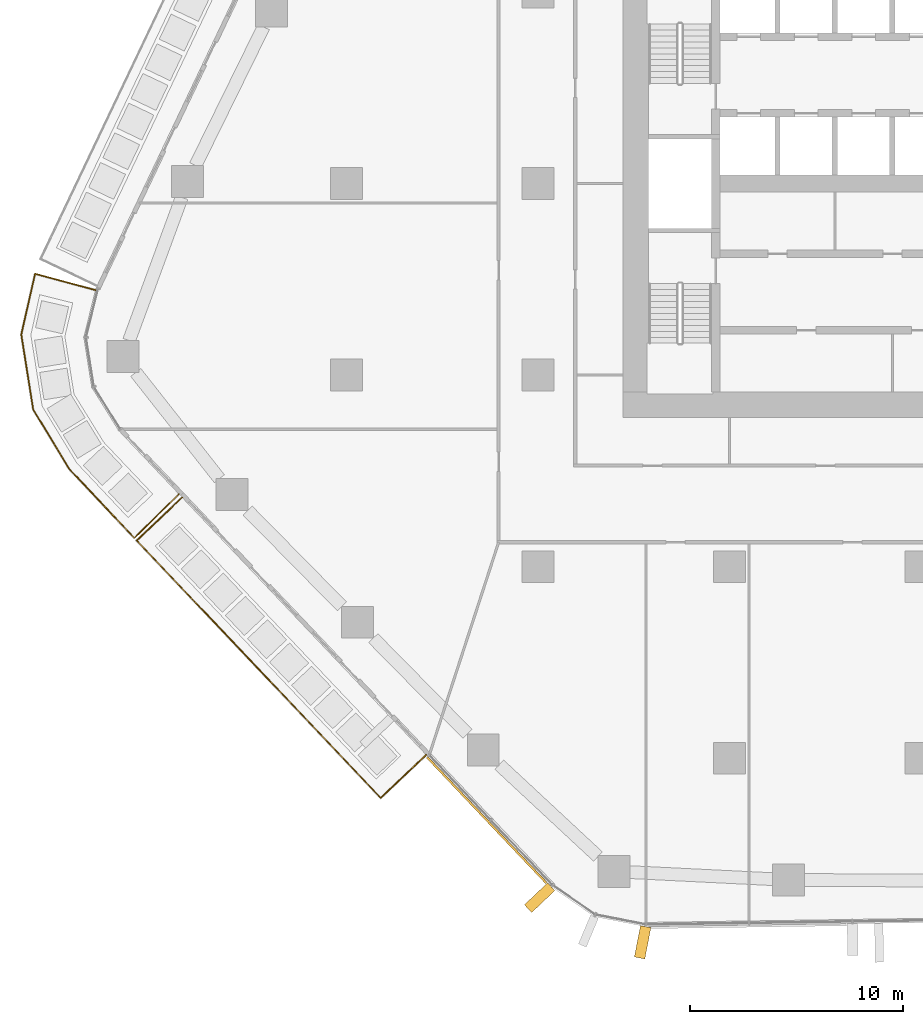
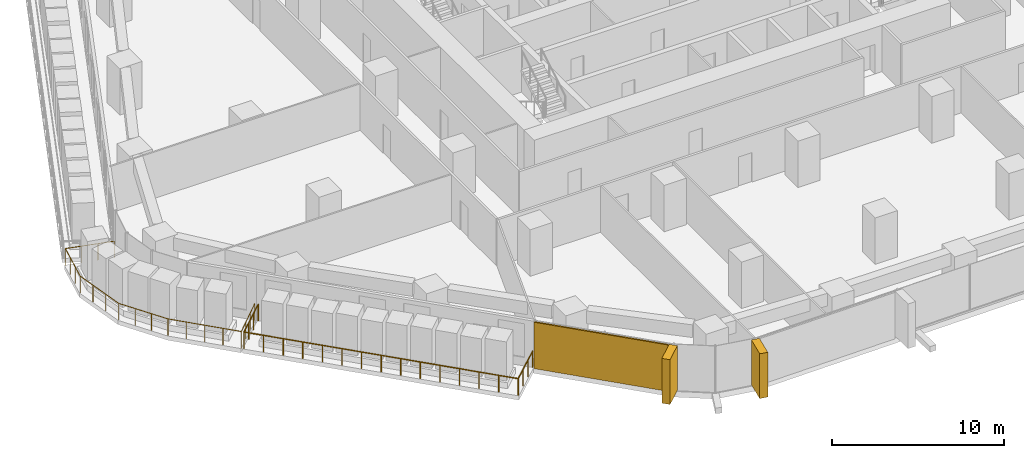
# One storey, part 18 of 24: 3 coverings, 2 railings, 2 elements without a shape of their own.
"""IFC4 building model written with IfcOpenShell, lengths in metres."""

from ifc_helpers import new_model, si_unit, direction, frame, origin, origin_2d, place, context, subcontext, project, spatial, rectangle, circle, extrude, material, layer, layer_set, material_profile, profile_set, type_object, element, aggregate, save


model = new_model("IFC4")

# Units and contexts
model_context = context("Model", 3, precision=1e-05, world=origin(), true_north=direction((0.0, 1.0)))
body_context = subcontext(model_context, "Body", "Model", "MODEL_VIEW")
ifc_project = project(units=[si_unit("LENGTHUNIT", "METRE"), si_unit("AREAUNIT", "SQUARE_METRE"), si_unit("VOLUMEUNIT", "CUBIC_METRE"), si_unit("PLANEANGLEUNIT", "RADIAN"), si_unit("MASSUNIT", "GRAM", prefix="KILO")], contexts=[model_context])

# Site, building, storey
site_placement = place(None, origin())
site = spatial("IfcSite", under=ifc_project, at=site_placement, CompositionType="ELEMENT")
building_placement = place(site_placement, origin())
building = spatial("IfcBuilding", under=site, at=building_placement, Name="Dongbaek Canopy Tower", CompositionType="ELEMENT")
storey_placement = place(building_placement, frame((0.0, 0.0, 47.699951171875)))
storey = spatial("IfcBuildingStorey", under=building, at=storey_placement, Name="L07", CompositionType="ELEMENT", Elevation=47.699951171875)

# Railings
ifc_material_1 = material(Name="Stainless steel", Category="steel")
railing_type = type_object("IfcRailingType", Name="Balcony balustrade 1200", PredefinedType="BALUSTRADE", material=ifc_material_1)
railing_1_placement = place(storey_placement, frame((-34.720703125, -14.746826171875, 0.0)))
element("IfcRailing", 1, at=railing_1_placement, inside=storey, type_object=railing_type, Name="Balcony guard L07 3", PredefinedType="BALUSTRADE", context=body_context, shape_type="SweptSolid", body=[
    extrude(circle(Radius=0.02392578125, at=origin_2d()), frame((0.0, 0.0, 1.17578125), z_axis=(-0.725625280922, -0.688090075271, 0.0), x_axis=(0.688090075271, -0.725625280922, 0.0)), (0.0, 0.0, 1.0), 2.93994140625),
    extrude(circle(Radius=0.02392578125, at=origin_2d()), frame((-2.13330078125, -2.02294921875, 1.17578125), z_axis=(0.688087592456, -0.725627635298, 0.0), x_axis=(0.725627635298, 0.688087592456, 0.0)), (0.0, 0.0, 1.0), 16.661865234375),
    extrude(circle(Radius=0.02392578125, at=origin_2d()), frame((9.33154296875, -14.11328125, 1.17578125), z_axis=(0.725664595326, 0.6880486139, 0.0), x_axis=(-0.6880486139, 0.725664595326, 0.0)), (0.0, 0.0, 1.0), 2.940185546875),
    extrude(circle(Radius=0.02099609375, at=origin_2d()), origin(), (0.0, 0.0, 1.0), 1.15185546875),
    extrude(circle(Radius=0.02099609375, at=origin_2d()), frame((-0.711181640625, -0.67431640625, 0.0)), (0.0, 0.0, 1.0), 1.15185546875),
    extrude(circle(Radius=0.02099609375, at=origin_2d()), frame((-1.422119140625, -1.3486328125, 0.0)), (0.0, 0.0, 1.0), 1.15185546875),
    extrude(circle(Radius=0.02099609375, at=origin_2d()), frame((-2.13330078125, -2.02294921875, 0.0)), (0.0, 0.0, 1.0), 1.15185546875),
    extrude(circle(Radius=0.02099609375, at=origin_2d()), frame((-1.314453125, -2.886474609375, 0.0)), (0.0, 0.0, 1.0), 1.15185546875),
    extrude(circle(Radius=0.02099609375, at=origin_2d()), frame((-0.495361328125, -3.750244140625, 0.0)), (0.0, 0.0, 1.0), 1.15185546875),
    extrude(circle(Radius=0.02099609375, at=origin_2d()), frame((0.323486328125, -4.61376953125, 0.0)), (0.0, 0.0, 1.0), 1.15185546875),
    extrude(circle(Radius=0.02099609375, at=origin_2d()), frame((1.142333984375, -5.477294921875, 0.0)), (0.0, 0.0, 1.0), 1.15185546875),
    extrude(circle(Radius=0.02099609375, at=origin_2d()), frame((1.961181640625, -6.3408203125, 0.0)), (0.0, 0.0, 1.0), 1.15185546875),
    extrude(circle(Radius=0.02099609375, at=origin_2d()), frame((2.7802734375, -7.20458984375, 0.0)), (0.0, 0.0, 1.0), 1.15185546875),
    extrude(circle(Radius=0.02099609375, at=origin_2d()), frame((3.59912109375, -8.068115234375, 0.0)), (0.0, 0.0, 1.0), 1.15185546875),
    extrude(circle(Radius=0.02099609375, at=origin_2d()), frame((4.41796875, -8.931640625, 0.0)), (0.0, 0.0, 1.0), 1.15185546875),
    extrude(circle(Radius=0.02099609375, at=origin_2d()), frame((5.237060546875, -9.79541015625, 0.0)), (0.0, 0.0, 1.0), 1.15185546875),
    extrude(circle(Radius=0.02099609375, at=origin_2d()), frame((6.055908203125, -10.658935546875, 0.0)), (0.0, 0.0, 1.0), 1.15185546875),
    extrude(circle(Radius=0.02099609375, at=origin_2d()), frame((6.874755859375, -11.5224609375, 0.0)), (0.0, 0.0, 1.0), 1.15185546875),
    extrude(circle(Radius=0.02099609375, at=origin_2d()), frame((7.693603515625, -12.385986328125, 0.0)), (0.0, 0.0, 1.0), 1.15185546875),
    extrude(circle(Radius=0.02099609375, at=origin_2d()), frame((8.5126953125, -13.249755859375, 0.0)), (0.0, 0.0, 1.0), 1.15185546875),
    extrude(circle(Radius=0.02099609375, at=origin_2d()), frame((9.33154296875, -14.11328125, 0.0)), (0.0, 0.0, 1.0), 1.15185546875),
    extrude(circle(Radius=0.02099609375, at=origin_2d()), frame((10.042724609375, -13.43896484375, 0.0)), (0.0, 0.0, 1.0), 1.15185546875),
    extrude(circle(Radius=0.02099609375, at=origin_2d()), frame((10.75390625, -12.7646484375, 0.0)), (0.0, 0.0, 1.0), 1.15185546875),
    extrude(circle(Radius=0.02099609375, at=origin_2d()), frame((11.465087890625, -12.09033203125, 0.0)), (0.0, 0.0, 1.0), 1.15185546875),
])
railing_2_placement = place(storey_placement, frame((-38.790771484375, -5.00390625, 0.0)))
element("IfcRailing", 2, at=railing_2_placement, inside=storey, type_object=railing_type, Name="Balcony guard L07 6", PredefinedType="BALUSTRADE", context=body_context, shape_type="SweptSolid", body=[
    extrude(circle(Radius=0.02392578125, at=origin_2d()), frame((0.0, 0.0, 1.17578125), z_axis=(-0.965309681674, 0.261107676001, 0.0), x_axis=(-0.261107676001, -0.965309681674, 0.0)), (0.0, 0.0, 1.0), 2.940673828125),
    extrude(circle(Radius=0.02392578125, at=origin_2d()), frame((-2.838623046875, 0.767822265625, 1.17578125), z_axis=(-0.221750914522, -0.97510334422, 0.0), x_axis=(0.97510334422, -0.221750914522, 0.0)), (0.0, 0.0, 1.0), 2.92626953125),
    extrude(circle(Radius=0.02392578125, at=origin_2d()), frame((-3.487548828125, -2.085693359375, 1.17578125), z_axis=(0.156645480474, -0.987654895926, 0.0), x_axis=(0.987654895926, 0.156645480474, 0.0)), (0.0, 0.0, 1.0), 3.561279296875),
    extrude(circle(Radius=0.02392578125, at=origin_2d()), frame((-2.9296875, -5.60302734375, 1.17578125), z_axis=(0.518278551245, -0.855211870427, 0.0), x_axis=(0.855211870427, 0.518278551245, 0.0)), (0.0, 0.0, 1.0), 3.27001953125),
    extrude(circle(Radius=0.02392578125, at=origin_2d()), frame((-1.23486328125, -8.399658203125, 1.17578125), z_axis=(0.685685287225, -0.727898129468, 0.0), x_axis=(0.727898129468, 0.685685287225, 0.0)), (0.0, 0.0, 1.0), 4.46484375),
    extrude(circle(Radius=0.02392578125, at=origin_2d()), frame((1.82666015625, -11.649658203125, 1.17578125), z_axis=(0.711452226048, 0.702734466247, 0.0), x_axis=(-0.702734466247, 0.711452226048, 0.0)), (0.0, 0.0, 1.0), 2.9404296875),
    extrude(circle(Radius=0.02099609375, at=origin_2d()), origin(), (0.0, 0.0, 1.0), 1.15185546875),
    extrude(circle(Radius=0.02099609375, at=origin_2d()), frame((-0.9462890625, 0.255859375, 0.0)), (0.0, 0.0, 1.0), 1.15185546875),
    extrude(circle(Radius=0.02099609375, at=origin_2d()), frame((-1.892333984375, 0.511962890625, 0.0)), (0.0, 0.0, 1.0), 1.15185546875),
    extrude(circle(Radius=0.02099609375, at=origin_2d()), frame((-2.838623046875, 0.767822265625, 0.0)), (0.0, 0.0, 1.0), 1.15185546875),
    extrude(circle(Radius=0.02099609375, at=origin_2d()), frame((-3.054931640625, -0.183349609375, 0.0)), (0.0, 0.0, 1.0), 1.15185546875),
    extrude(circle(Radius=0.02099609375, at=origin_2d()), frame((-3.271240234375, -1.134521484375, 0.0)), (0.0, 0.0, 1.0), 1.15185546875),
    extrude(circle(Radius=0.02099609375, at=origin_2d()), frame((-3.487548828125, -2.085693359375, 0.0)), (0.0, 0.0, 1.0), 1.15185546875),
    extrude(circle(Radius=0.02099609375, at=origin_2d()), frame((-3.301513671875, -3.258056640625, 0.0)), (0.0, 0.0, 1.0), 1.15185546875),
    extrude(circle(Radius=0.02099609375, at=origin_2d()), frame((-3.11572265625, -4.4306640625, 0.0)), (0.0, 0.0, 1.0), 1.15185546875),
    extrude(circle(Radius=0.02099609375, at=origin_2d()), frame((-2.9296875, -5.60302734375, 0.0)), (0.0, 0.0, 1.0), 1.15185546875),
    extrude(circle(Radius=0.02099609375, at=origin_2d()), frame((-2.36474609375, -6.53515625, 0.0)), (0.0, 0.0, 1.0), 1.15185546875),
    extrude(circle(Radius=0.02099609375, at=origin_2d()), frame((-1.7998046875, -7.467529296875, 0.0)), (0.0, 0.0, 1.0), 1.15185546875),
    extrude(circle(Radius=0.02099609375, at=origin_2d()), frame((-1.23486328125, -8.399658203125, 0.0)), (0.0, 0.0, 1.0), 1.15185546875),
    extrude(circle(Radius=0.02099609375, at=origin_2d()), frame((-0.469482421875, -9.212158203125, 0.0)), (0.0, 0.0, 1.0), 1.15185546875),
    extrude(circle(Radius=0.02099609375, at=origin_2d()), frame((0.2958984375, -10.024658203125, 0.0)), (0.0, 0.0, 1.0), 1.15185546875),
    extrude(circle(Radius=0.02099609375, at=origin_2d()), frame((1.061279296875, -10.837158203125, 0.0)), (0.0, 0.0, 1.0), 1.15185546875),
    extrude(circle(Radius=0.02099609375, at=origin_2d()), frame((1.82666015625, -11.649658203125, 0.0)), (0.0, 0.0, 1.0), 1.15185546875),
    extrude(circle(Radius=0.02099609375, at=origin_2d()), frame((2.52392578125, -10.9609375, 0.0)), (0.0, 0.0, 1.0), 1.15185546875),
    extrude(circle(Radius=0.02099609375, at=origin_2d()), frame((3.221435546875, -10.27197265625, 0.0)), (0.0, 0.0, 1.0), 1.15185546875),
    extrude(circle(Radius=0.02099609375, at=origin_2d()), frame((3.918701171875, -9.583251953125, 0.0)), (0.0, 0.0, 1.0), 1.15185546875),
])

# Curtain wall, coverings
ifc_material_2 = material(Name="Aluminium 6063-T6 pale anodised", Category="aluminium")
ifc_layer_1 = layer(ifc_material_2, 0.199951171875)
ifc_layer_set_1 = layer_set([ifc_layer_1], Name="CW-1 unitised tower curtain wall")
curtain_wall_type = type_object("IfcCurtainWallType", Name="CW-1 unitised tower curtain wall", PredefinedType="NOTDEFINED", material=ifc_layer_set_1)
curtain_wall_1_placement = place(storey_placement, origin())
curtain_wall_1 = element("IfcCurtainWall", 3, at=curtain_wall_1_placement, inside=storey, type_object=curtain_wall_type, Name="CW-1 curtain wall F3.1", PredefinedType="NOTDEFINED")
ifc_material_3 = material(Name="Perforated aluminium 6063-T6 pale metal screen", Category="aluminium")
ifc_layer_2 = layer(ifc_material_3, 0.10009765625)
ifc_layer_set_2 = layer_set([ifc_layer_2], Name="Facet screen FS1 100 pale metal")
covering_type_1 = type_object("IfcCoveringType", Name="Facet screen FS1 100 pale metal", PredefinedType="CLADDING", material=ifc_layer_set_2)
covering_1_placement = place(storey_placement, frame((-20.41259765625, -29.902099609375, 0.0), z_axis=(0.0, 0.0, 1.0), x_axis=(0.688088665871, -0.725626617414, 0.0)))
covering_1 = element("IfcCovering", 4, at=covering_1_placement, type_object=covering_type_1, Name="Facet screen L07 F3", PredefinedType="CLADDING", context=body_context, shape_type="SweptSolid", body=[
    extrude(rectangle(XDim=8.140625, YDim=0.10009765625, at=origin_2d()), origin(), (0.0, 0.0, 1.0), 3.300048828125),
])
ifc_material_4 = material(Name="Aluminium 6063-T6 pale metal fin", Category="aluminium")
ifc_material_profile = material_profile(ifc_material_4, rectangle(XDim=1.5, YDim=0.5, at=origin_2d()), Name="Fin FN1 500 x 1500 pale metal")
ifc_profile_set = profile_set([ifc_material_profile], Name="Aluminium 6063-T6 pale metal fin")
covering_type_2 = type_object("IfcCoveringType", Name="Fin FN1 500 x 1500 pale metal", PredefinedType="CLADDING", material=ifc_profile_set)
covering_2_placement = place(storey_placement, frame((-17.923095703125, -33.550537109375, 0.1201171875), z_axis=(0.0, 0.0, 1.0), x_axis=(-0.725626548924, -0.688088738098, 0.0)))
covering_2 = element("IfcCovering", 5, at=covering_2_placement, type_object=covering_type_2, Name="Fin F3.1.3", PredefinedType="CLADDING", context=body_context, shape_type="SweptSolid", body=[
    extrude(rectangle(XDim=1.5, YDim=0.5, at=origin_2d()), origin(), (0.0, 0.0, 1.0), 3.179931640625),
])
aggregate(curtain_wall_1, [covering_2, covering_1])

# Curtain wall, covering
curtain_wall_2_placement = place(storey_placement, origin())
curtain_wall_2 = element("IfcCurtainWall", 6, at=curtain_wall_2_placement, inside=storey, type_object=curtain_wall_type, Name="CW-1 curtain wall K4.1", PredefinedType="NOTDEFINED")
covering_3_placement = place(storey_placement, frame((-13.083740234375, -35.647216796875, 0.1201171875), z_axis=(0.0, 0.0, 1.0), x_axis=(-0.190843757955, -0.981620425648, 0.0)))
covering_3 = element("IfcCovering", 7, at=covering_3_placement, type_object=covering_type_2, Name="Fin K4.1.3", PredefinedType="CLADDING", context=body_context, shape_type="SweptSolid", body=[
    extrude(rectangle(XDim=1.5, YDim=0.5, at=origin_2d()), origin(), (0.0, 0.0, 1.0), 3.179931640625),
])
aggregate(curtain_wall_2, [covering_3])

save(model, "model.ifc")
